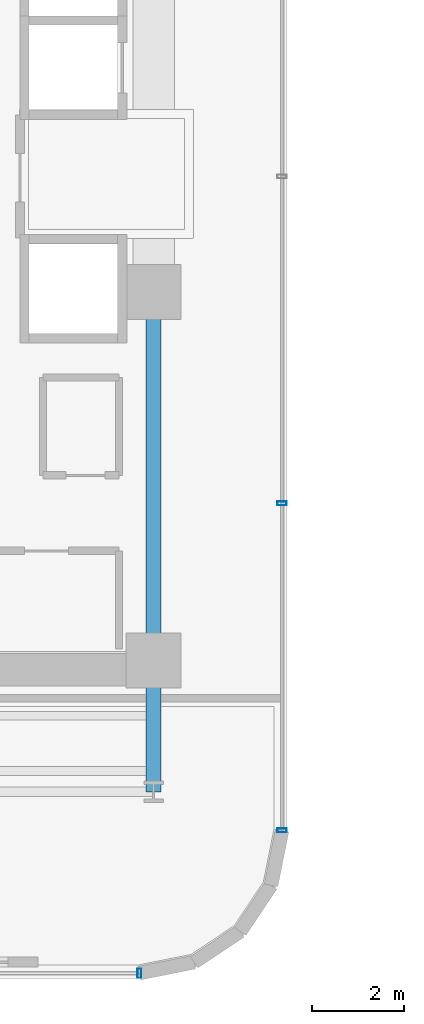
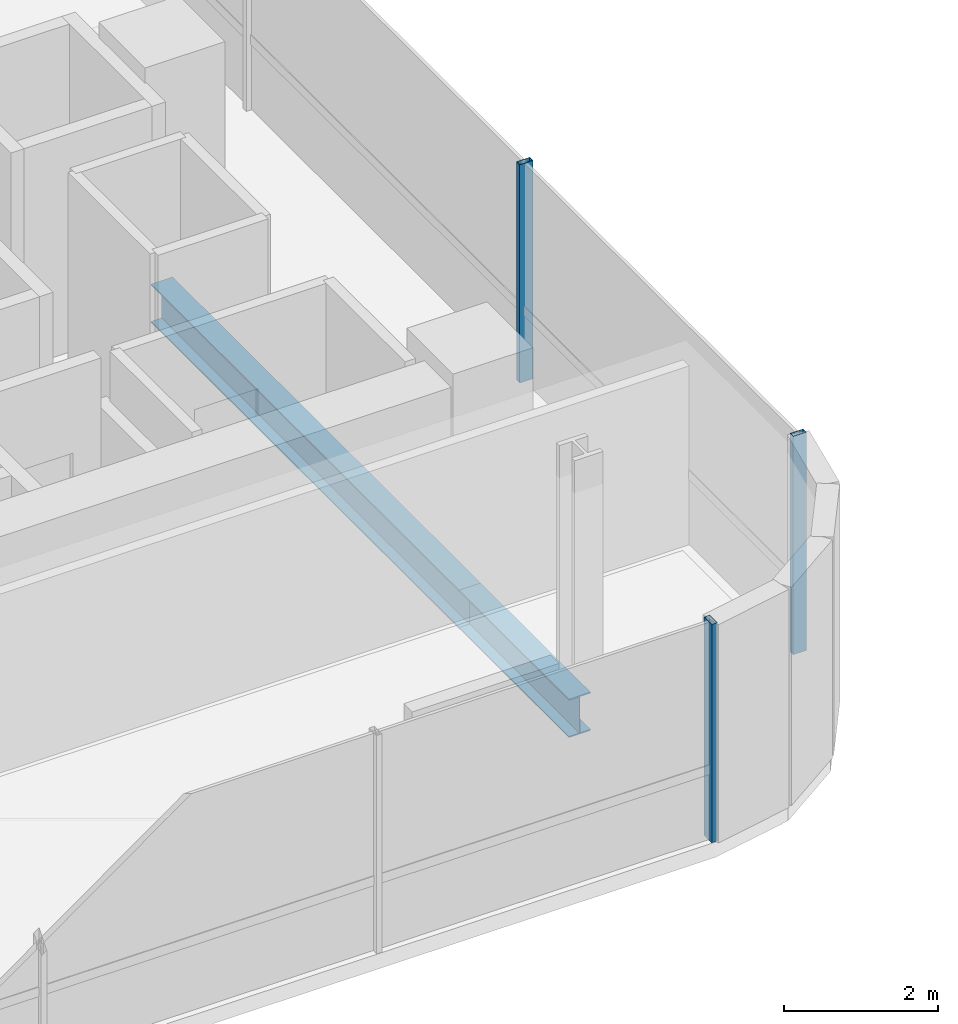
# One storey, part 6 of 34: 3 members, 2 beams, 2 elements without a shape of their own.
"""IFC4 building model written with IfcOpenShell, lengths in metres."""

from ifc_helpers import new_model, si_unit, direction, frame, origin, origin_2d, place, context, subcontext, project, spatial, hollow_rectangle, i_section, extrude, source, transform, mapped, material, material_profile, profile_set, type_object, element, aggregate, save


model = new_model("IFC4")

# Units and contexts
model_context = context("Model", 3, precision=1e-05, world=origin(), true_north=direction((0.0, 1.0)))
body_context = subcontext(model_context, "Body", "Model", "MODEL_VIEW")
ifc_project = project(units=[si_unit("LENGTHUNIT", "METRE"), si_unit("AREAUNIT", "SQUARE_METRE"), si_unit("VOLUMEUNIT", "CUBIC_METRE"), si_unit("PLANEANGLEUNIT", "RADIAN"), si_unit("MASSUNIT", "GRAM", prefix="KILO")], contexts=[model_context])

# Site, building, storey
site_placement = place(None, origin())
site = spatial("IfcSite", under=ifc_project, at=site_placement, CompositionType="ELEMENT")
building_placement = place(site_placement, origin())
building = spatial("IfcBuilding", under=site, at=building_placement, Name="Valdorenza Pilgrim Sanctuary Tower", CompositionType="ELEMENT")
storey_placement = place(building_placement, frame((0.0, 0.0, 120.5)))
storey = spatial("IfcBuildingStorey", under=building, at=storey_placement, Name="L30", CompositionType="ELEMENT", Elevation=120.5)

# Beams
ifc_material_1 = material(Name="Steel ASTM A992 Grade 50", Category="steel")
ifc_material_profile_1 = material_profile(ifc_material_1, i_section(OverallWidth=0.323974609375, OverallDepth=0.611083984375, WebThickness=0.0126953125, FlangeThickness=0.01904296875, at=origin_2d()), Name="W24X104")
ifc_profile_set_1 = profile_set([ifc_material_profile_1], Name="Steel ASTM A992 Grade 50")
beam_type = type_object("IfcBeamType", Name="STR-BM-GRD-W24B", PredefinedType="BEAM", material=ifc_profile_set_1)
shared_shape_1 = source(origin(), body_context, "Body", "SweptSolid", [
    extrude(i_section(OverallWidth=0.323974609375, OverallDepth=0.611083984375, WebThickness=0.0126953125, FlangeThickness=0.01904296875, at=origin_2d()), origin(), (0.0, 0.0, 1.0), 8.0),
])
beam_1_placement = place(storey_placement, frame((-12.39990234375, -10.60009765625, -0.54541015625), z_axis=(0.0, 1.0, 0.0), x_axis=(-1.0, 0.0, 0.0)))
element("IfcBeam", 1, at=beam_1_placement, inside=storey, type_object=beam_type, Name="L30 Core Tie Girder CA-E-S1M0", PredefinedType="BEAM", context=body_context, shape_type="MappedRepresentation", body=[
    mapped(shared_shape_1, transform((0.0, 0.0, 0.0), x_axis=(1.0, 0.0, 0.0), y_axis=(0.0, 1.0, 0.0), z_axis=(0.0, 0.0, 1.0), scale=1.0)),
])
shared_shape_2 = source(origin(), body_context, "Body", "SweptSolid", [
    extrude(i_section(OverallWidth=0.323974609375, OverallDepth=0.611083984375, WebThickness=0.0126953125, FlangeThickness=0.01904296875, at=origin_2d()), origin(), (0.0, 0.0, 1.0), 2.849853515625),
])
beam_2_placement = place(storey_placement, frame((-12.39990234375, -13.449951171875, -0.54541015625), z_axis=(0.0, 1.0, 0.0), x_axis=(-1.0, 0.0, 0.0)))
element("IfcBeam", 2, at=beam_2_placement, inside=storey, type_object=beam_type, Name="L30 Floor Girder WA-S-LE", PredefinedType="BEAM", context=body_context, shape_type="MappedRepresentation", body=[
    mapped(shared_shape_2, transform((0.0, 0.0, 0.0), x_axis=(1.0, 0.0, 0.0), y_axis=(0.0, 1.0, 0.0), z_axis=(0.0, 0.0, 1.0), scale=1.0)),
])

# Curtain wall, members
ifc_material_2 = material(Name="Curtain-wall IGU glazing", Category="glass")
curtain_wall_type = type_object("IfcCurtainWallType", Name="CW-SYS-02", PredefinedType="NOTDEFINED", material=ifc_material_2)
curtain_wall_1_placement = place(storey_placement, origin())
curtain_wall_1 = element("IfcCurtainWall", 3, at=curtain_wall_1_placement, inside=storey, type_object=curtain_wall_type, Name="L30 Curtain Wall CW-L30-1-41", PredefinedType="NOTDEFINED")
ifc_material_3 = material(Name="Anodised aluminium AW-6060", Category="aluminium")
ifc_material_profile_2 = material_profile(ifc_material_3, hollow_rectangle(XDim=0.0849609375, YDim=0.199951171875, WallThickness=0.0048828125, at=origin_2d()), Name="ALU-M 200x85x5")
ifc_profile_set_2 = profile_set([ifc_material_profile_2], Name="Anodised aluminium AW-6060")
member_type = type_object("IfcMemberType", Name="CW-MUL-02", PredefinedType="MULLION", material=ifc_profile_set_2)
shared_shape_3 = source(origin(), body_context, "Body", "SweptSolid", [
    extrude(hollow_rectangle(XDim=0.0849609375, YDim=0.199951171875, WallThickness=0.0048828125, at=origin_2d()), origin(), (0.0, 0.0, 1.0), 3.4599609375),
])
member_1_placement = place(storey_placement, frame((-9.610107421875, -7.189208984375, 0.0), z_axis=(0.0, 0.0, 1.0), x_axis=(0.0, -1.0, 0.0)))
member_1 = element("IfcMember", 4, at=member_1_placement, type_object=member_type, Name="CW-L30-1-41 Mullion 3", PredefinedType="MULLION", context=body_context, shape_type="MappedRepresentation", body=[
    mapped(shared_shape_3, transform((0.0, 0.0, 0.0), x_axis=(1.0, 0.0, 0.0), y_axis=(0.0, 1.0, 0.0), z_axis=(0.0, 0.0, 1.0), scale=1.0)),
])
member_2_placement = place(storey_placement, frame((-9.610107421875, -14.289306640625, 0.0), z_axis=(0.0, 0.0, 1.0), x_axis=(0.0, -1.0, 0.0)))
member_2 = element("IfcMember", 5, at=member_2_placement, type_object=member_type, Name="CW-L30-1-41 Mullion 4", PredefinedType="MULLION", context=body_context, shape_type="MappedRepresentation", body=[
    mapped(shared_shape_3, transform((0.0, 0.0, 0.0), x_axis=(1.0, 0.0, 0.0), y_axis=(0.0, 1.0, 0.0), z_axis=(0.0, 0.0, 1.0), scale=1.0)),
])
aggregate(curtain_wall_1, [member_1, member_2])

# Curtain wall, member
curtain_wall_2_placement = place(storey_placement, origin())
curtain_wall_2 = element("IfcCurtainWall", 6, at=curtain_wall_2_placement, inside=storey, type_object=curtain_wall_type, Name="L30 Curtain Wall CW-L30-1-46", PredefinedType="NOTDEFINED")
member_3_placement = place(storey_placement, frame((-12.710693359375, -17.389892578125, 0.0), z_axis=(0.0, 0.0, 1.0), x_axis=(-1.0, 0.0, 0.0)))
member_3 = element("IfcMember", 7, at=member_3_placement, type_object=member_type, Name="CW-L30-1-46 Mullion 1", PredefinedType="MULLION", context=body_context, shape_type="MappedRepresentation", body=[
    mapped(shared_shape_3, transform((0.0, 0.0, 0.0), x_axis=(1.0, 0.0, 0.0), y_axis=(0.0, 1.0, 0.0), z_axis=(0.0, 0.0, 1.0), scale=1.0)),
])
aggregate(curtain_wall_2, [member_3])

save(model, "model.ifc")
